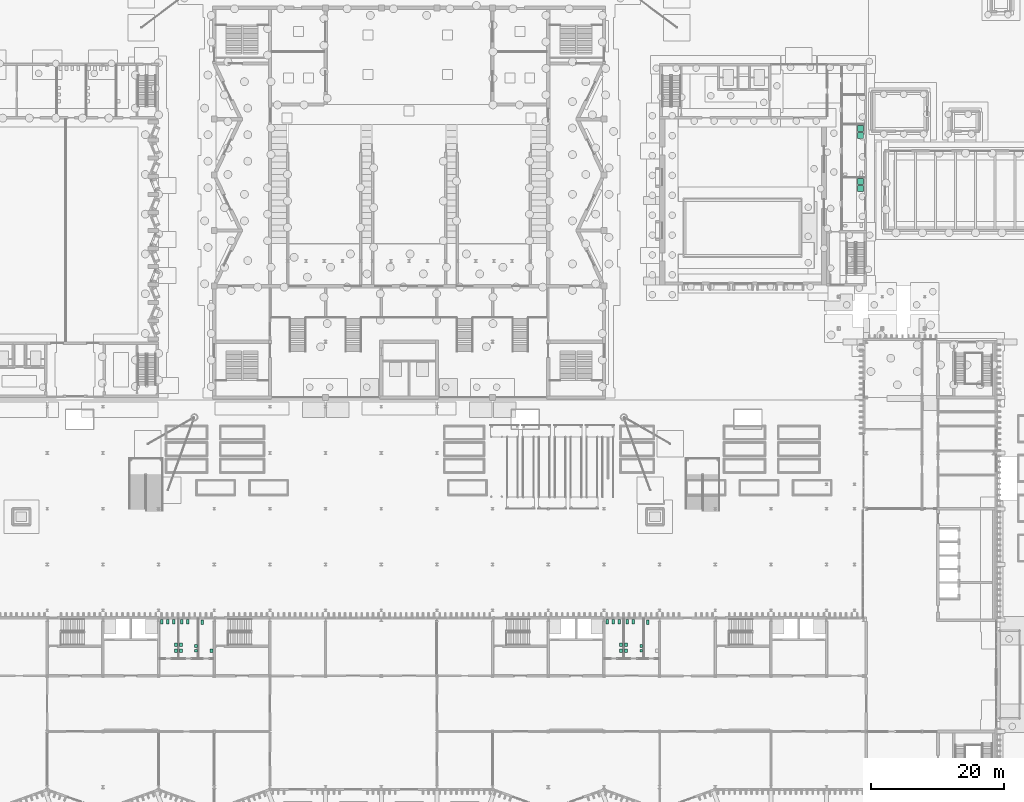
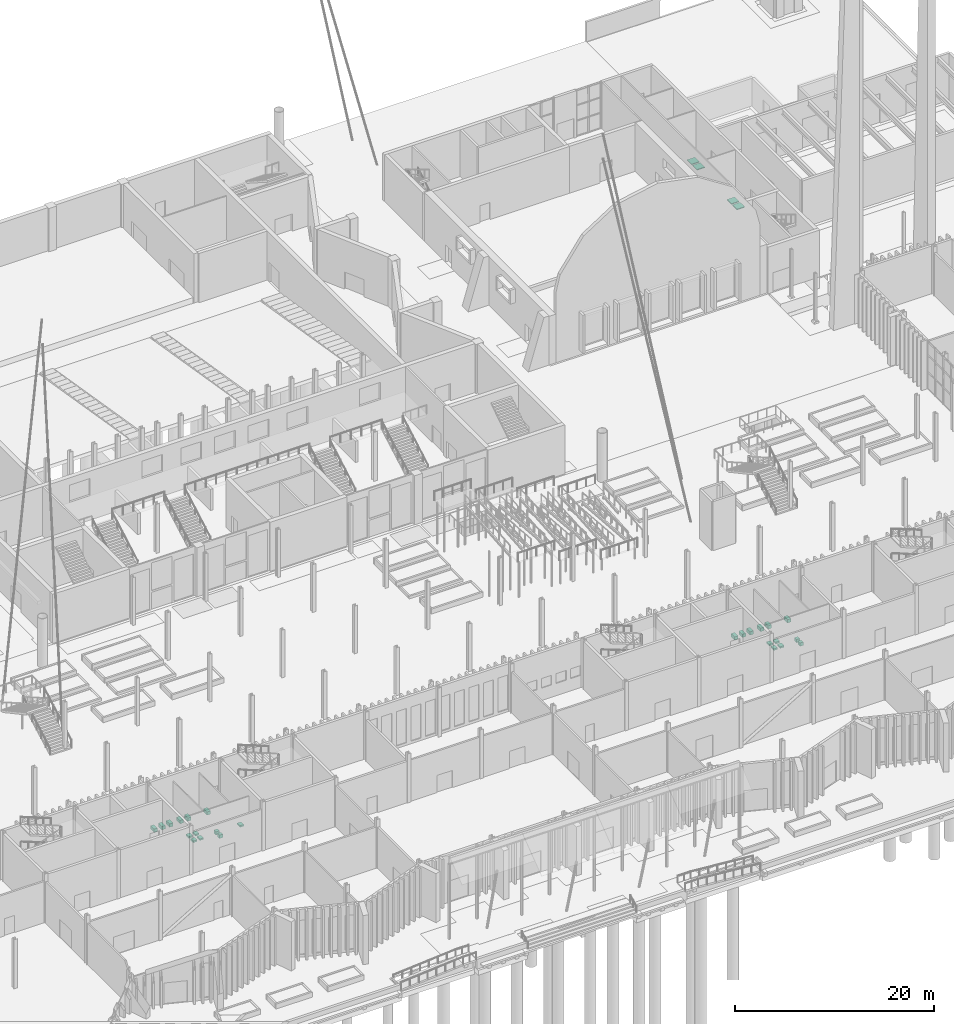
# One storey, part 106 of 108: 29 sanitary terminals.
"""IFC4 building model written with IfcOpenShell, lengths in metres."""

import ifcopenshell
import ifcopenshell.guid

model = None  # the IFC model being written
_history = None  # IfcOwnerHistory: only IFC2X3 demands one
_inside = {}  # id of a spatial element -> (the spatial element, [elements in it])
_under = {}  # id of a project, library or spatial element -> (it, [spatial elements below it])
_declared = {}  # id of a project -> (the project, [libraries it declares])
_typed = {}  # id of a type object -> (the type object, [elements of that type])
_made_of = {}  # id of a material, layer set ... -> (it, [elements and type objects made of it])


def new_model(schema):
    """Start an empty IFC model of exactly this schema.

    Asked for "IFC4X3", IfcOpenShell would pick the latest addendum, in which some entities
    have other attributes; the version numbers below select the first issue.
    IFC2X3 requires an IfcOwnerHistory on every rooted entity: one is made here for all.
    """
    global model, _history
    if schema == "IFC4X3":
        model = ifcopenshell.file(schema_version=(4, 3, 0, 0))
    else:
        model = ifcopenshell.file(schema=schema)
    _inside.clear()
    _under.clear()
    _declared.clear()
    _typed.clear()
    _made_of.clear()
    _history = None
    if model.schema == "IFC2X3":
        org = make("IfcOrganization", Name="unknown")
        user = make(
            "IfcPersonAndOrganization",
            ThePerson=make("IfcPerson", FamilyName="unknown"),
            TheOrganization=org,
        )
        app = make(
            "IfcApplication",
            ApplicationDeveloper=org,
            Version="unknown",
            ApplicationFullName="unknown",
            ApplicationIdentifier="unknown",
        )
        _history = make(
            "IfcOwnerHistory",
            OwningUser=user,
            OwningApplication=app,
            ChangeAction="ADDED",
            CreationDate=0,
        )
    return model


def make(cls, **values):
    """One entity of the class cls with the attributes given. An attribute that is None is left unset."""
    return model.create_entity(
        cls, **{name: value for name, value in values.items() if value is not None}
    )


def rooted(cls, **values):
    """An entity with a GlobalId (a new one), such as an element, a storey or a relation."""
    return make(cls, GlobalId=ifcopenshell.guid.new(), OwnerHistory=_history, **values)


def si_unit(unit_type, name, prefix=None):
    """IfcSIUnit, for example si_unit("LENGTHUNIT", "METRE", prefix="MILLI")."""
    return make("IfcSIUnit", UnitType=unit_type, Prefix=prefix, Name=name)


def assignment(units):
    """IfcUnitAssignment: the units of a project."""
    return None if units is None else make("IfcUnitAssignment", Units=units)


def point(xyz):
    """IfcCartesianPoint."""
    return None if xyz is None else make("IfcCartesianPoint", Coordinates=xyz)


def direction(xyz):
    """IfcDirection."""
    return None if xyz is None else make("IfcDirection", DirectionRatios=xyz)


def frame(location, z_axis=None, x_axis=None):
    """IfcAxis2Placement3D, a coordinate frame: its origin and axes. An axis left out is left unset."""
    return make(
        "IfcAxis2Placement3D",
        Location=point(location),
        Axis=direction(z_axis),
        RefDirection=direction(x_axis),
    )


def frame_2d(location, x_axis=None):
    """IfcAxis2Placement2D, a coordinate frame in the plane: its origin and x axis."""
    return make(
        "IfcAxis2Placement2D", Location=point(location), RefDirection=direction(x_axis)
    )


def origin():
    """The frame at (0, 0, 0) with its axes left unset."""
    return frame((0.0, 0.0, 0.0))


def origin_2d():
    """The frame at (0, 0) in the plane with its x axis left unset."""
    return frame_2d((0.0, 0.0))


def place(relative_to, where):
    """IfcLocalPlacement: puts the frame where relative to a parent placement (None: the world)."""
    return make(
        "IfcLocalPlacement", PlacementRelTo=relative_to, RelativePlacement=where
    )


def context(
    kind, dimensions, precision=None, world=None, true_north=None, identifier=None
):
    """IfcGeometricRepresentationContext, for example the 3D "Model" context."""
    return make(
        "IfcGeometricRepresentationContext",
        ContextIdentifier=identifier,
        ContextType=kind,
        CoordinateSpaceDimension=dimensions,
        Precision=precision,
        WorldCoordinateSystem=world,
        TrueNorth=true_north,
    )


def subcontext(parent, identifier, kind, view, scale=None):
    """IfcGeometricRepresentationSubContext, for example "Body" below "Model"."""
    return make(
        "IfcGeometricRepresentationSubContext",
        ContextIdentifier=identifier,
        ContextType=kind,
        ParentContext=parent,
        TargetScale=scale,
        TargetView=view,
    )


def project(units=None, contexts=None):
    """IfcProject with its units and contexts."""
    return rooted(
        "IfcProject",
        Name="project",
        RepresentationContexts=contexts,
        UnitsInContext=assignment(units),
    )


def spatial(cls, under=None, at=None, **own):
    """A site, building, storey or space (cls), placed at a placement, below another one or the project."""
    s = rooted(cls, ObjectPlacement=at, **own)
    if under is not None:
        _under.setdefault(under.id(), (under, []))[1].append(s)
    return s


def profile(cls, at=None, kind="AREA", **sizes):
    """A parametric profile (cls). Its sizes go by their IFC names, for example OverallWidth=200.0."""
    return make(cls, ProfileType=kind, Position=at, **sizes)


def rectangle(**sizes):
    """IfcRectangleProfileDef."""
    return profile("IfcRectangleProfileDef", **sizes)


def extrude(swept, where, along, depth):
    """IfcExtrudedAreaSolid: the profile swept, set in the frame where, extruded along a direction by depth."""
    return make(
        "IfcExtrudedAreaSolid",
        SweptArea=swept,
        Position=where,
        ExtrudedDirection=direction(along),
        Depth=depth,
    )


def shape(context_of_items, identifier, shape_type, items):
    """IfcShapeRepresentation: the items that make up one representation, for example the "Body"."""
    return make(
        "IfcShapeRepresentation",
        ContextOfItems=context_of_items,
        RepresentationIdentifier=identifier,
        RepresentationType=shape_type,
        Items=items,
    )


def material(Name=None, Category=None):
    """IfcMaterial."""
    return make("IfcMaterial", Name=Name, Category=Category)


def made_of(thing, what):
    """Note that an element or type object is made of a material, layer set ...; save() writes the relation."""
    if what is not None:
        _made_of.setdefault(what.id(), (what, []))[1].append(thing)
    return thing


def type_object(cls, material=None, **own):
    """A type object (cls), such as IfcWallType, which elements share."""
    return made_of(rooted(cls, **own), material)


def element(
    cls,
    number,
    at=None,
    inside=None,
    cuts=None,
    type_object=None,
    material=None,
    context=None,
    identifier="Body",
    shape_type=None,
    held_by="IfcProductDefinitionShape",
    body=None,
    shapes=None,
    **own,
):
    """One element of the class cls, such as IfcWall. Its Tag is "e" and its number.

    at: its placement. inside: the storey or other place that contains it. cuts: it is an
    opening in that element (IfcRelVoidsElement). A single representation is given by context,
    identifier, shape_type and body (its items); several are given by shapes. held_by: the class
    of the entity that holds the representations. save() writes the other relations.
    """
    e = rooted(cls, Tag="e%d" % number, ObjectPlacement=at, **own)
    if body is not None:
        shapes = [shape(context, identifier, shape_type, body)]
    if shapes is not None:
        e.Representation = make(held_by, Representations=shapes)
    if inside is not None:
        _inside.setdefault(inside.id(), (inside, []))[1].append(e)
    if cuts is not None:
        rooted(
            "IfcRelVoidsElement", RelatingBuildingElement=cuts, RelatedOpeningElement=e
        )
    if type_object is not None:
        _typed.setdefault(type_object.id(), (type_object, []))[1].append(e)
    return made_of(e, material)


def aggregate(whole, parts):
    """IfcRelAggregates: a whole, such as a stair, and the parts it consists of."""
    return rooted("IfcRelAggregates", RelatingObject=whole, RelatedObjects=parts)


def save(model, path):
    """Write the relations noted so far, then the file.

    IfcRelAggregates (storeys below a building ...), IfcRelContainedInSpatialStructure (elements
    in a storey), IfcRelDefinesByType, IfcRelAssociatesMaterial and IfcRelDeclares: one each for
    every whole, place, type object, material and project.
    """
    for whole, parts in _under.values():
        aggregate(whole, parts)
    for where, things in _inside.values():
        rooted(
            "IfcRelContainedInSpatialStructure",
            RelatedElements=things,
            RelatingStructure=where,
        )
    for kind, things in _typed.values():
        rooted("IfcRelDefinesByType", RelatedObjects=things, RelatingType=kind)
    for what, things in _made_of.values():
        rooted("IfcRelAssociatesMaterial", RelatedObjects=things, RelatingMaterial=what)
    for by, libraries in _declared.values():
        rooted("IfcRelDeclares", RelatingContext=by, RelatedDefinitions=libraries)
    model.write(path)


model = new_model("IFC4")

# Units and contexts
model_context = context("Model", 3, precision=1e-05, world=origin(), true_north=direction((0.0, 1.0)))
body_context = subcontext(model_context, "Body", "Model", "MODEL_VIEW")
ifc_project = project(units=[si_unit("LENGTHUNIT", "METRE"), si_unit("AREAUNIT", "SQUARE_METRE"), si_unit("VOLUMEUNIT", "CUBIC_METRE"), si_unit("PLANEANGLEUNIT", "RADIAN"), si_unit("MASSUNIT", "GRAM", prefix="KILO")], contexts=[model_context])

# Site, building, storey
site_placement = place(None, origin())
site = spatial("IfcSite", under=ifc_project, at=site_placement, CompositionType="ELEMENT")
building_placement = place(site_placement, origin())
building = spatial("IfcBuilding", under=site, at=building_placement, Name="Cresset Court Congress Hotel", CompositionType="ELEMENT")
storey_placement = place(building_placement, origin())
storey = spatial("IfcBuildingStorey", under=building, at=storey_placement, Name="L00", CompositionType="ELEMENT", Elevation=0.0)

# Sanitary terminals
ifc_material_1 = material(Name="Vitreous china")
sanitary_terminal_type_1 = type_object("IfcSanitaryTerminalType", Name="Shower tray", PredefinedType="SHOWER", material=ifc_material_1)
for number, where, z_axis, x_axis, name in (
    (1, (156.300048828125, 91.39990234375, 0.0), (0.0, 0.0, 1.0), (1.0, 0.0, 0.0), "Shower tray"),
    (2, (156.300048828125, 90.300048828125, 0.0), (0.0, 0.0, 1.0), (1.0, 0.0, 0.0), "Shower tray"),
    (3, (156.300048828125, 99.39990234375, 0.0), (0.0, 0.0, 1.0), (1.0, 0.0, 0.0), "Shower tray"),
    (4, (156.300048828125, 98.300048828125, 0.0), (0.0, 0.0, 1.0), (1.0, 0.0, 0.0), "Shower tray"),
):
    element("IfcSanitaryTerminal", number, at=place(storey_placement, frame(where, z_axis=z_axis, x_axis=x_axis)), inside=storey, type_object=sanitary_terminal_type_1, Name=name, PredefinedType="SHOWER", context=body_context, shape_type="SweptSolid", body=[
        extrude(rectangle(XDim=0.89990234375, YDim=0.89990234375, at=origin_2d()), origin(), (0.0, 0.0, 1.0), 0.10009765625),
    ])
ifc_material_2 = material(Name="Vitreous china")
sanitary_terminal_type_2 = type_object("IfcSanitaryTerminalType", Name="Toilet pan", PredefinedType="TOILETPAN", material=ifc_material_2)
for number, where, z_axis, x_axis, name in (
    (5, (50.89990234375, 24.949951171875, 0.199951171875), (0.0, 0.0, 1.0), (1.0, 0.0, 0.0), "Women's WC fitting 1"),
    (6, (51.800048828125, 24.949951171875, 0.199951171875), (0.0, 0.0, 1.0), (1.0, 0.0, 0.0), "Women's WC fitting 2"),
    (7, (52.699951171875, 24.949951171875, 0.199951171875), (0.0, 0.0, 1.0), (1.0, 0.0, 0.0), "Women's WC fitting 3"),
    (8, (53.89990234375, 24.949951171875, 0.199951171875), (0.0, 0.0, 1.0), (1.0, 0.0, 0.0), "Men's WC fitting 6"),
    (9, (54.800048828125, 24.949951171875, 0.199951171875), (0.0, 0.0, 1.0), (1.0, 0.0, 0.0), "Men's WC fitting 7"),
    (10, (57.0, 24.89990234375, 0.199951171875), (0.0, 0.0, 1.0), (1.0, 0.0, 0.0), "Accessible WC fitting 12"),
    (11, (118.10009765625, 24.949951171875, 0.199951171875), (0.0, 0.0, 1.0), (1.0, 0.0, 0.0), "Women's WC fitting 14"),
    (12, (119.0, 24.949951171875, 0.199951171875), (0.0, 0.0, 1.0), (1.0, 0.0, 0.0), "Women's WC fitting 15"),
    (13, (119.89990234375, 24.949951171875, 0.199951171875), (0.0, 0.0, 1.0), (1.0, 0.0, 0.0), "Women's WC fitting 16"),
    (14, (121.10009765625, 24.949951171875, 0.199951171875), (0.0, 0.0, 1.0), (1.0, 0.0, 0.0), "Men's WC fitting 19"),
    (15, (122.0, 24.949951171875, 0.199951171875), (0.0, 0.0, 1.0), (1.0, 0.0, 0.0), "Men's WC fitting 20"),
    (16, (124.199951171875, 24.89990234375, 0.199951171875), (0.0, 0.0, 1.0), (1.0, 0.0, 0.0), "Accessible WC fitting 25"),
):
    element("IfcSanitaryTerminal", number, at=place(storey_placement, frame(where, z_axis=z_axis, x_axis=x_axis)), inside=storey, type_object=sanitary_terminal_type_2, Name=name, PredefinedType="TOILETPAN", context=body_context, shape_type="SweptSolid", body=[
        extrude(rectangle(XDim=0.39990234375, YDim=0.699951171875, at=origin_2d()), origin(), (0.0, 0.0, 1.0), 0.39990234375),
    ])
ifc_material_3 = material(Name="Vitreous china")
sanitary_terminal_type_3 = type_object("IfcSanitaryTerminalType", Name="Urinal", PredefinedType="URINAL", material=ifc_material_3)
for number, where, z_axis, x_axis, name in (
    (17, (56.050048828125, 20.60009765625, 0.199951171875), (0.0, 0.0, 1.0), (1.0, 0.0, 0.0), "Men's WC fitting 8"),
    (18, (56.050048828125, 21.300048828125, 0.199951171875), (0.0, 0.0, 1.0), (1.0, 0.0, 0.0), "Men's WC fitting 9"),
    (19, (123.25, 20.60009765625, 0.199951171875), (0.0, 0.0, 1.0), (1.0, 0.0, 0.0), "Men's WC fitting 21"),
    (20, (123.25, 21.300048828125, 0.199951171875), (0.0, 0.0, 1.0), (1.0, 0.0, 0.0), "Men's WC fitting 22"),
):
    element("IfcSanitaryTerminal", number, at=place(storey_placement, frame(where, z_axis=z_axis, x_axis=x_axis)), inside=storey, type_object=sanitary_terminal_type_3, Name=name, PredefinedType="URINAL", context=body_context, shape_type="SweptSolid", body=[
        extrude(rectangle(XDim=0.39990234375, YDim=0.39990234375, at=origin_2d()), origin(), (0.0, 0.0, 1.0), 0.39990234375),
    ])
ifc_material_4 = material(Name="Vitreous china")
sanitary_terminal_type_4 = type_object("IfcSanitaryTerminalType", Name="Wash basin", PredefinedType="WASHHANDBASIN", material=ifc_material_4)
for number, where, z_axis, x_axis, name in (
    (21, (53.0, 20.60009765625, 0.7998046875), (0.0, 0.0, 1.0), (1.0, 0.0, 0.0), "Women's WC fitting 4"),
    (22, (53.0, 21.5, 0.7998046875), (0.0, 0.0, 1.0), (1.0, 0.0, 0.0), "Women's WC fitting 5"),
    (23, (53.75, 20.60009765625, 0.7998046875), (0.0, 0.0, 1.0), (1.0, 0.0, 0.0), "Men's WC fitting 10"),
    (24, (53.75, 21.5, 0.7998046875), (0.0, 0.0, 1.0), (1.0, 0.0, 0.0), "Men's WC fitting 11"),
    (25, (58.39990234375, 20.60009765625, 0.7998046875), (0.0, 0.0, 1.0), (1.0, 0.0, 0.0), "Accessible WC fitting 13"),
    (26, (120.199951171875, 20.60009765625, 0.7998046875), (0.0, 0.0, 1.0), (1.0, 0.0, 0.0), "Women's WC fitting 17"),
    (27, (120.199951171875, 21.5, 0.7998046875), (0.0, 0.0, 1.0), (1.0, 0.0, 0.0), "Women's WC fitting 18"),
    (28, (120.949951171875, 20.60009765625, 0.7998046875), (0.0, 0.0, 1.0), (1.0, 0.0, 0.0), "Men's WC fitting 23"),
    (29, (120.949951171875, 21.5, 0.7998046875), (0.0, 0.0, 1.0), (1.0, 0.0, 0.0), "Men's WC fitting 24"),
):
    element("IfcSanitaryTerminal", number, at=place(storey_placement, frame(where, z_axis=z_axis, x_axis=x_axis)), inside=storey, type_object=sanitary_terminal_type_4, Name=name, PredefinedType="WASHHANDBASIN", context=body_context, shape_type="SweptSolid", body=[
        extrude(rectangle(XDim=0.449951171875, YDim=0.550048828125, at=origin_2d()), origin(), (0.0, 0.0, 1.0), 0.199951171875),
    ])

save(model, "model.ifc")
